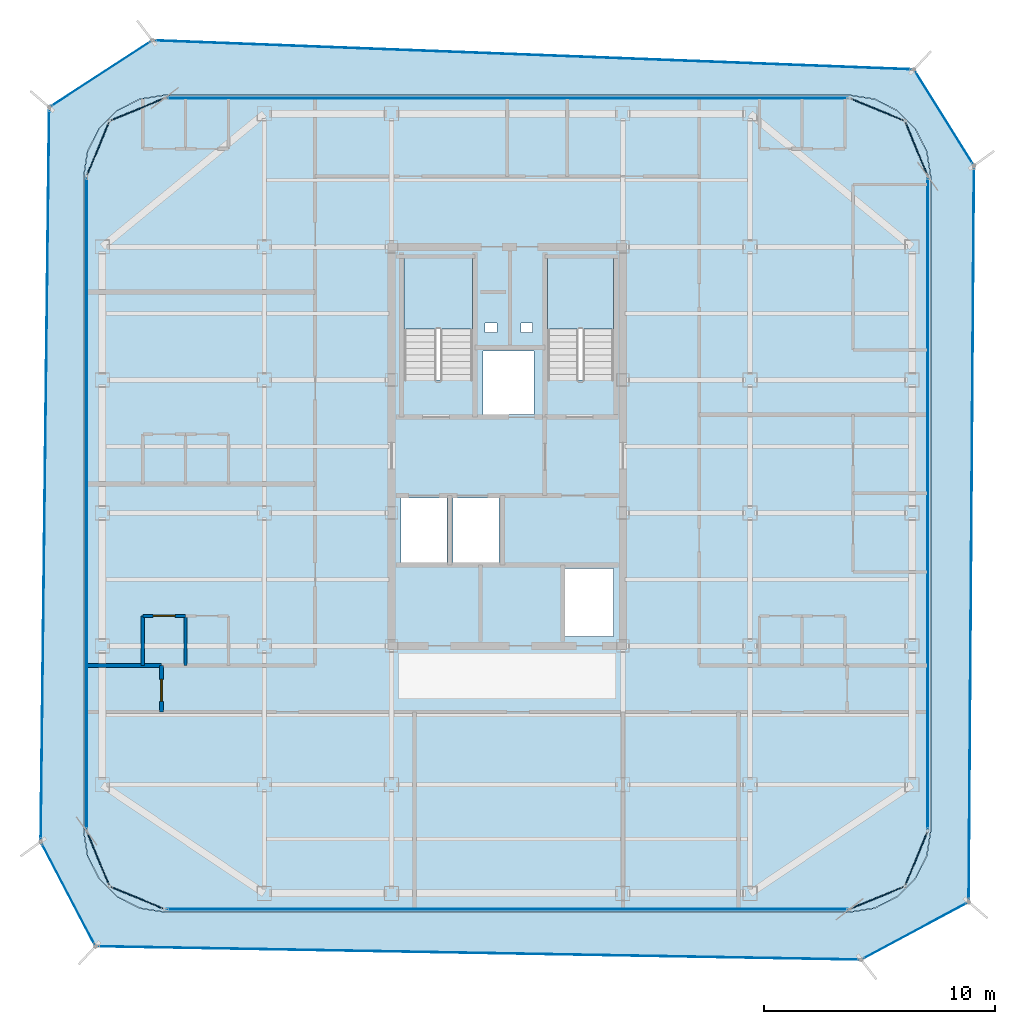
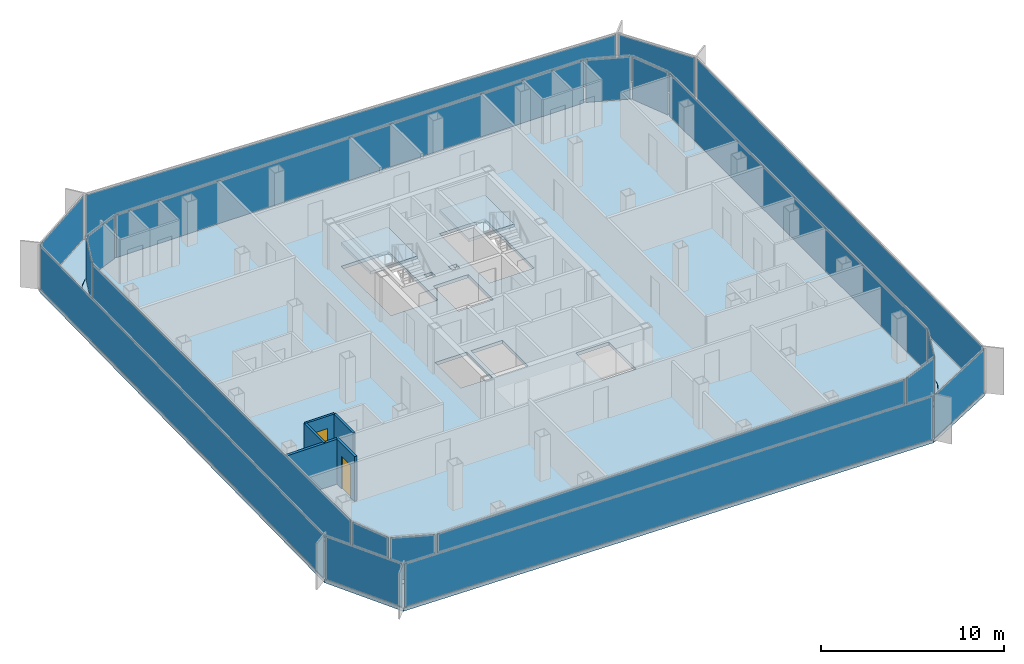
# One storey, part 9 of 15: 20 plates, 5 walls, 4 slabs, 2 doors, 2 openings, 22 elements without a shape of their own.
"""IFC4 building model written with IfcOpenShell, lengths in metres."""

from ifc_helpers import new_model, si_unit, direction, frame, frame_2d, origin, origin_2d, place, context, subcontext, project, spatial, polyline, rectangle, outline, extrude, source, transform, mapped, material, layer, layer_set, type_object, element, fill, aggregate, save


model = new_model("IFC4")

# Units and contexts
model_context = context("Model", 3, precision=1e-05, world=origin(), true_north=direction((0.0, 1.0)))
body_context = subcontext(model_context, "Body", "Model", "MODEL_VIEW")
ifc_project = project(units=[si_unit("LENGTHUNIT", "METRE"), si_unit("AREAUNIT", "SQUARE_METRE"), si_unit("VOLUMEUNIT", "CUBIC_METRE"), si_unit("PLANEANGLEUNIT", "RADIAN"), si_unit("MASSUNIT", "GRAM", prefix="KILO")], contexts=[model_context])

# Site, building, storey
site_placement = place(None, origin())
site = spatial("IfcSite", under=ifc_project, at=site_placement, CompositionType="ELEMENT")
building_placement = place(site_placement, origin())
building = spatial("IfcBuilding", under=site, at=building_placement, Name="Kolveth Station Tower", CompositionType="ELEMENT")
storey_placement = place(building_placement, frame((0.0, 0.0, 229.699951171875)))
storey = spatial("IfcBuildingStorey", under=building, at=storey_placement, Name="L65", CompositionType="ELEMENT", Elevation=229.699951171875)

# Slab
ifc_material_1 = material(Name="Concrete C40/50", Category="concrete")
ifc_layer_1 = layer(ifc_material_1, 0.219970703125)
ifc_layer_set_1 = layer_set([ifc_layer_1], Name="Concrete C40/50")
slab_type_1 = type_object("IfcSlabType", Name="Slab_SF-220", PredefinedType="FLOOR", material=ifc_layer_set_1)
slab_1_placement = place(storey_placement, frame((0.0, 0.0, -0.219970703125)))
element("IfcSlab", 1, at=slab_1_placement, inside=storey, type_object=slab_type_1, Name="L65 Tower Structural Floor Slab", PredefinedType="FLOOR", context=body_context, shape_type="SweptSolid", body=[
    extrude(outline(polyline([(38.300048828125, 0.0), (39.381591796875, 0.17138671875), (40.357177734375, 0.66845703125), (41.131591796875, 1.44287109375), (41.628662109375, 2.41845703125), (41.800048828125, 3.5), (41.800048828125, 31.800048828125), (41.628662109375, 32.881591796875), (41.131591796875, 33.857177734375), (40.357177734375, 34.631591796875), (39.381591796875, 35.128662109375), (38.300048828125, 35.300048828125), (8.699951171875, 35.300048828125), (7.618408203125, 35.128662109375), (6.642822265625, 34.631591796875), (5.868408203125, 33.857177734375), (5.371337890625, 32.881591796875), (5.199951171875, 31.800048828125), (5.199951171875, 3.5), (5.371337890625, 2.41845703125), (5.868408203125, 1.44287109375), (6.642822265625, 0.66845703125), (7.618408203125, 0.17138671875), (8.699951171875, 0.0), (38.300048828125, 0.0)]), holes=[polyline([(19.0400390625, 22.985107421875), (22.0, 22.985107421875), (22.0, 28.39990234375), (19.0400390625, 28.39990234375), (19.0400390625, 22.985107421875)]), polyline([(25.239990234375, 22.985107421875), (28.10009765625, 22.985107421875), (28.10009765625, 28.39990234375), (25.239990234375, 28.39990234375), (25.239990234375, 22.985107421875)]), polyline([(18.89990234375, 15.10009765625), (20.89990234375, 15.10009765625), (20.89990234375, 17.89990234375), (18.89990234375, 17.89990234375), (18.89990234375, 15.10009765625)]), polyline([(21.14990234375, 15.10009765625), (23.14990234375, 15.10009765625), (23.14990234375, 17.89990234375), (21.14990234375, 17.89990234375), (21.14990234375, 15.10009765625)]), polyline([(22.449951171875, 21.5), (24.64990234375, 21.5), (24.64990234375, 24.25), (22.449951171875, 24.25), (22.449951171875, 21.5)]), polyline([(26.0, 11.89990234375), (28.10009765625, 11.89990234375), (28.10009765625, 14.85009765625), (26.0, 14.85009765625), (26.0, 11.89990234375)]), polyline([(22.550048828125, 25.050048828125), (23.050048828125, 25.050048828125), (23.050048828125, 25.449951171875), (22.550048828125, 25.449951171875), (22.550048828125, 25.050048828125)]), polyline([(24.10009765625, 25.050048828125), (24.60009765625, 25.050048828125), (24.60009765625, 25.449951171875), (24.10009765625, 25.449951171875), (24.10009765625, 25.050048828125)])]), origin(), (0.0, 0.0, 1.0), 0.219970703125),
])

# Stair, slab
stair_type_1 = type_object("IfcStairType", Name="Stair_ST2", PredefinedType="HALF_TURN_STAIR", material=ifc_material_1)
stair_1_placement = place(storey_placement, origin())
stair_1 = element("IfcStair", 2, at=stair_1_placement, inside=storey, type_object=stair_type_1, Name="L65 Tower Exit Stair ST2", PredefinedType="HALF_TURN_STAIR")
ifc_layer_2 = layer(ifc_material_1, 0.18994140625)
ifc_layer_set_2 = layer_set([ifc_layer_2], Name="Concrete C40/50")
slab_type_2 = type_object("IfcSlabType", Name="Slab_SL-190", PredefinedType="LANDING", material=ifc_layer_set_2)
slab_2_placement = place(storey_placement, frame((0.0, 0.0, 1.400146484375)))
slab_2 = element("IfcSlab", 3, at=slab_2_placement, type_object=slab_type_2, Name="ST2 landing 1", PredefinedType="LANDING", context=body_context, shape_type="SweptSolid", body=[
    extrude(outline(polyline([(28.10009765625, 25.18994140625), (28.10009765625, 28.39990234375), (25.239990234375, 28.39990234375), (25.239990234375, 25.18994140625), (28.10009765625, 25.18994140625)])), origin(), (0.0, 0.0, 1.0), 0.199951171875),
])
aggregate(stair_1, [slab_2])

stair_type_2 = type_object("IfcStairType", Name="Stair_ST1", PredefinedType="HALF_TURN_STAIR", material=ifc_material_1)
stair_2_placement = place(storey_placement, origin())
stair_2 = element("IfcStair", 4, at=stair_2_placement, inside=storey, type_object=stair_type_2, Name="L65 Tower Exit Stair ST1", PredefinedType="HALF_TURN_STAIR")
ifc_layer_3 = layer(ifc_material_1, 0.205078125)
ifc_layer_set_3 = layer_set([ifc_layer_3], Name="Concrete C40/50")
slab_type_3 = type_object("IfcSlabType", Name="Slab_SL-205", PredefinedType="LANDING", material=ifc_layer_set_3)
slab_3_placement = place(storey_placement, frame((0.0, 0.0, 1.400146484375)))
slab_3 = element("IfcSlab", 5, at=slab_3_placement, type_object=slab_type_3, Name="ST1 landing 1", PredefinedType="LANDING", context=body_context, shape_type="SweptSolid", body=[
    extrude(outline(polyline([(22.0, 25.18994140625), (22.0, 28.39990234375), (19.0400390625, 28.39990234375), (19.0400390625, 25.18994140625), (22.0, 25.18994140625)])), origin(), (0.0, 0.0, 1.0), 0.199951171875),
])
aggregate(stair_2, [slab_3])

# Slab
ifc_layer_4 = layer(ifc_material_1, 0.2099609375)
ifc_layer_set_4 = layer_set([ifc_layer_4], Name="Concrete C40/50")
slab_type_4 = type_object("IfcSlabType", Name="Slab_ST-210", PredefinedType="FLOOR", material=ifc_layer_set_4)
slab_4_placement = place(storey_placement, frame((0.0, 0.0, -0.2099609375)))
element("IfcSlab", 6, at=slab_4_placement, inside=storey, type_object=slab_type_4, Name="L65 Double-Skin Cavity Structural Ledger Ring", PredefinedType="FLOOR", context=body_context, shape_type="SweptSolid", body=[
    extrude(outline(polyline([(5.70556640625, -1.485595703125), (3.33837890625, 3.038818359375), (3.70556640625, 34.781494140625), (8.16064453125, 37.67431640625), (41.08349609375, 36.41650390625), (43.679931640625, 32.263427734375), (43.451171875, 0.4287109375), (38.80078125, -2.064453125), (5.70556640625, -1.485595703125)]), holes=[polyline([(38.30224609375, -0.014892578125), (39.3837890625, 0.156494140625), (39.388427734375, 0.157958984375), (40.364013671875, 0.655029296875), (40.367919921875, 0.65771484375), (41.14208984375, 1.43212890625), (41.14501953125, 1.43603515625), (41.64208984375, 2.41162109375), (41.6435546875, 2.416015625), (41.814697265625, 3.497802734375), (41.81494140625, 3.5), (41.81494140625, 31.800048828125), (41.814697265625, 31.80224609375), (41.6435546875, 32.8837890625), (41.64208984375, 32.888427734375), (41.14501953125, 33.864013671875), (41.14208984375, 33.867919921875), (40.367919921875, 34.64208984375), (40.364013671875, 34.64501953125), (39.388427734375, 35.14208984375), (39.3837890625, 35.1435546875), (38.30224609375, 35.314697265625), (38.300048828125, 35.31494140625), (8.699951171875, 35.31494140625), (8.69775390625, 35.314697265625), (7.6162109375, 35.1435546875), (7.611572265625, 35.14208984375), (6.635986328125, 34.64501953125), (6.632080078125, 34.64208984375), (5.85791015625, 33.867919921875), (5.85498046875, 33.864013671875), (5.35791015625, 32.888427734375), (5.3564453125, 32.8837890625), (5.185302734375, 31.80224609375), (5.18505859375, 31.800048828125), (5.18505859375, 3.5), (5.185302734375, 3.497802734375), (5.3564453125, 2.416015625), (5.35791015625, 2.41162109375), (5.85498046875, 1.43603515625), (5.85791015625, 1.43212890625), (6.632080078125, 0.65771484375), (6.635986328125, 0.655029296875), (7.611572265625, 0.157958984375), (7.6162109375, 0.156494140625), (8.69775390625, -0.014892578125), (8.699951171875, -0.014892578125), (38.300048828125, -0.014892578125), (38.30224609375, -0.014892578125)])]), origin(), (0.0, 0.0, 1.0), 0.2099609375),
])

# Curtain wall, plate
ifc_material_2 = material(Name="Aluminium 6063-T6 and triple low-E dark glass", Category="aluminium")
ifc_layer_5 = layer(ifc_material_2, 0.199951171875)
ifc_layer_set_5 = layer_set([ifc_layer_5], Name="Aluminium 6063-T6 and triple low-E dark glass")
curtain_wall_type_1 = type_object("IfcCurtainWallType", Name="CurtainWall_CW-Z3", PredefinedType="NOTDEFINED", material=ifc_layer_set_5)
curtain_wall_1_placement = place(storey_placement, origin())
curtain_wall_1 = element("IfcCurtainWall", 7, at=curtain_wall_1_placement, inside=storey, type_object=curtain_wall_type_1, Name="L65 Inner Thermal Curtain Wall 1", PredefinedType="NOTDEFINED")
ifc_material_3 = material(Name="Architectural low-E dark glass", Category="glass")
ifc_layer_6 = layer(ifc_material_3, 0.0419921875)
ifc_layer_set_6 = layer_set([ifc_layer_6], Name="Architectural low-E dark glass")
plate_type_1 = type_object("IfcPlateType", Name="Panel_GL3", PredefinedType="CURTAIN_PANEL", material=ifc_layer_set_6)
shared_shape_1 = source(origin(), body_context, "Body", "SweptSolid", [
    extrude(rectangle(XDim=2.430908203125, YDim=0.0419921875, at=origin_2d()), origin(), (0.0, 0.0, 1.0), 2.823974609375),
])
plate_1_placement = place(storey_placement, frame((39.4951171875, 0.614990234375, 0.078125), z_axis=(0.0, 0.0, 1.0), x_axis=(0.923875488975, 0.382693194181, 0.0)))
plate_1 = element("IfcPlate", 8, at=plate_1_placement, type_object=plate_type_1, Name="CW-Z3 panel 1.1", PredefinedType="CURTAIN_PANEL", context=body_context, shape_type="MappedRepresentation", body=[
    mapped(shared_shape_1, transform((0.0, 0.0, 0.0), x_axis=(1.0, 0.0, 0.0), y_axis=(0.0, 1.0, 0.0), z_axis=(0.0, 0.0, 1.0), scale=1.0)),
])
aggregate(curtain_wall_1, [plate_1])

curtain_wall_2_placement = place(storey_placement, origin())
curtain_wall_2 = element("IfcCurtainWall", 9, at=curtain_wall_2_placement, inside=storey, type_object=curtain_wall_type_1, Name="L65 Inner Thermal Curtain Wall 2", PredefinedType="NOTDEFINED")
plate_2_placement = place(storey_placement, frame((41.18505859375, 2.304931640625, 0.078125), z_axis=(0.0, 0.0, 1.0), x_axis=(0.382693194181, 0.923875488975, 0.0)))
plate_2 = element("IfcPlate", 10, at=plate_2_placement, type_object=plate_type_1, Name="CW-Z3 panel 1.1", PredefinedType="CURTAIN_PANEL", context=body_context, shape_type="MappedRepresentation", body=[
    mapped(shared_shape_1, transform((0.0, 0.0, 0.0), x_axis=(1.0, 0.0, 0.0), y_axis=(0.0, 1.0, 0.0), z_axis=(0.0, 0.0, 1.0), scale=1.0)),
])
aggregate(curtain_wall_2, [plate_2])

curtain_wall_3_placement = place(storey_placement, origin())
curtain_wall_3 = element("IfcCurtainWall", 11, at=curtain_wall_3_placement, inside=storey, type_object=curtain_wall_type_1, Name="L65 Inner Thermal Curtain Wall 4", PredefinedType="NOTDEFINED")
plate_3_placement = place(storey_placement, frame((41.18505859375, 32.9951171875, 0.078125), z_axis=(0.0, 0.0, 1.0), x_axis=(-0.382693194181, 0.923875488975, 0.0)))
plate_3 = element("IfcPlate", 12, at=plate_3_placement, type_object=plate_type_1, Name="CW-Z3 panel 1.1", PredefinedType="CURTAIN_PANEL", context=body_context, shape_type="MappedRepresentation", body=[
    mapped(shared_shape_1, transform((0.0, 0.0, 0.0), x_axis=(1.0, 0.0, 0.0), y_axis=(0.0, 1.0, 0.0), z_axis=(0.0, 0.0, 1.0), scale=1.0)),
])
aggregate(curtain_wall_3, [plate_3])

curtain_wall_4_placement = place(storey_placement, origin())
curtain_wall_4 = element("IfcCurtainWall", 13, at=curtain_wall_4_placement, inside=storey, type_object=curtain_wall_type_1, Name="L65 Inner Thermal Curtain Wall 5", PredefinedType="NOTDEFINED")
plate_4_placement = place(storey_placement, frame((39.4951171875, 34.68505859375, 0.078125), z_axis=(0.0, 0.0, 1.0), x_axis=(-0.923875488975, 0.382693194181, 0.0)))
plate_4 = element("IfcPlate", 14, at=plate_4_placement, type_object=plate_type_1, Name="CW-Z3 panel 1.1", PredefinedType="CURTAIN_PANEL", context=body_context, shape_type="MappedRepresentation", body=[
    mapped(shared_shape_1, transform((0.0, 0.0, 0.0), x_axis=(1.0, 0.0, 0.0), y_axis=(0.0, 1.0, 0.0), z_axis=(0.0, 0.0, 1.0), scale=1.0)),
])
aggregate(curtain_wall_4, [plate_4])

curtain_wall_5_placement = place(storey_placement, origin())
curtain_wall_5 = element("IfcCurtainWall", 15, at=curtain_wall_5_placement, inside=storey, type_object=curtain_wall_type_1, Name="L65 Inner Thermal Curtain Wall 7", PredefinedType="NOTDEFINED")
plate_5_placement = place(storey_placement, frame((7.5048828125, 34.68505859375, 0.078125), z_axis=(0.0, 0.0, 1.0), x_axis=(-0.923875488975, -0.382693194181, 0.0)))
plate_5 = element("IfcPlate", 16, at=plate_5_placement, type_object=plate_type_1, Name="CW-Z3 panel 1.1", PredefinedType="CURTAIN_PANEL", context=body_context, shape_type="MappedRepresentation", body=[
    mapped(shared_shape_1, transform((0.0, 0.0, 0.0), x_axis=(1.0, 0.0, 0.0), y_axis=(0.0, 1.0, 0.0), z_axis=(0.0, 0.0, 1.0), scale=1.0)),
])
aggregate(curtain_wall_5, [plate_5])

curtain_wall_6_placement = place(storey_placement, origin())
curtain_wall_6 = element("IfcCurtainWall", 17, at=curtain_wall_6_placement, inside=storey, type_object=curtain_wall_type_1, Name="L65 Inner Thermal Curtain Wall 8", PredefinedType="NOTDEFINED")
plate_6_placement = place(storey_placement, frame((5.81494140625, 32.9951171875, 0.078125), z_axis=(0.0, 0.0, 1.0), x_axis=(-0.382693194181, -0.923875488975, 0.0)))
plate_6 = element("IfcPlate", 18, at=plate_6_placement, type_object=plate_type_1, Name="CW-Z3 panel 1.1", PredefinedType="CURTAIN_PANEL", context=body_context, shape_type="MappedRepresentation", body=[
    mapped(shared_shape_1, transform((0.0, 0.0, 0.0), x_axis=(1.0, 0.0, 0.0), y_axis=(0.0, 1.0, 0.0), z_axis=(0.0, 0.0, 1.0), scale=1.0)),
])
aggregate(curtain_wall_6, [plate_6])

curtain_wall_7_placement = place(storey_placement, origin())
curtain_wall_7 = element("IfcCurtainWall", 19, at=curtain_wall_7_placement, inside=storey, type_object=curtain_wall_type_1, Name="L65 Inner Thermal Curtain Wall 10", PredefinedType="NOTDEFINED")
plate_7_placement = place(storey_placement, frame((5.81494140625, 2.304931640625, 0.078125), z_axis=(0.0, 0.0, 1.0), x_axis=(0.382693194181, -0.923875488975, 0.0)))
plate_7 = element("IfcPlate", 20, at=plate_7_placement, type_object=plate_type_1, Name="CW-Z3 panel 1.1", PredefinedType="CURTAIN_PANEL", context=body_context, shape_type="MappedRepresentation", body=[
    mapped(shared_shape_1, transform((0.0, 0.0, 0.0), x_axis=(1.0, 0.0, 0.0), y_axis=(0.0, 1.0, 0.0), z_axis=(0.0, 0.0, 1.0), scale=1.0)),
])
aggregate(curtain_wall_7, [plate_7])

curtain_wall_8_placement = place(storey_placement, origin())
curtain_wall_8 = element("IfcCurtainWall", 21, at=curtain_wall_8_placement, inside=storey, type_object=curtain_wall_type_1, Name="L65 Inner Thermal Curtain Wall 11", PredefinedType="NOTDEFINED")
plate_8_placement = place(storey_placement, frame((7.5048828125, 0.614990234375, 0.078125), z_axis=(0.0, 0.0, 1.0), x_axis=(0.923875488975, -0.382693194181, 0.0)))
plate_8 = element("IfcPlate", 22, at=plate_8_placement, type_object=plate_type_1, Name="CW-Z3 panel 1.1", PredefinedType="CURTAIN_PANEL", context=body_context, shape_type="MappedRepresentation", body=[
    mapped(shared_shape_1, transform((0.0, 0.0, 0.0), x_axis=(1.0, 0.0, 0.0), y_axis=(0.0, 1.0, 0.0), z_axis=(0.0, 0.0, 1.0), scale=1.0)),
])
aggregate(curtain_wall_8, [plate_8])

curtain_wall_9_placement = place(storey_placement, origin())
curtain_wall_9 = element("IfcCurtainWall", 23, at=curtain_wall_9_placement, inside=storey, type_object=curtain_wall_type_1, Name="L65 Inner Thermal Curtain Wall 3", PredefinedType="NOTDEFINED")
shared_shape_2 = source(origin(), body_context, "Body", "SweptSolid", [
    extrude(rectangle(XDim=28.14404296875, YDim=0.0419921875, at=origin_2d()), origin(), (0.0, 0.0, 1.0), 2.823974609375),
])
plate_9_placement = place(storey_placement, frame((41.679931640625, 17.64990234375, 0.078125), z_axis=(0.0, 0.0, 1.0), x_axis=(0.0, 1.0, 0.0)))
plate_9 = element("IfcPlate", 24, at=plate_9_placement, type_object=plate_type_1, Name="CW-Z3 panel 1.1", PredefinedType="CURTAIN_PANEL", context=body_context, shape_type="MappedRepresentation", body=[
    mapped(shared_shape_2, transform((0.0, 0.0, 0.0), x_axis=(1.0, 0.0, 0.0), y_axis=(0.0, 1.0, 0.0), z_axis=(0.0, 0.0, 1.0), scale=1.0)),
])
aggregate(curtain_wall_9, [plate_9])

curtain_wall_10_placement = place(storey_placement, origin())
curtain_wall_10 = element("IfcCurtainWall", 25, at=curtain_wall_10_placement, inside=storey, type_object=curtain_wall_type_1, Name="L65 Inner Thermal Curtain Wall 9", PredefinedType="NOTDEFINED")
plate_10_placement = place(storey_placement, frame((5.320068359375, 17.64990234375, 0.078125), z_axis=(0.0, 0.0, 1.0), x_axis=(0.0, -1.0, 0.0)))
plate_10 = element("IfcPlate", 26, at=plate_10_placement, type_object=plate_type_1, Name="CW-Z3 panel 1.1", PredefinedType="CURTAIN_PANEL", context=body_context, shape_type="MappedRepresentation", body=[
    mapped(shared_shape_2, transform((0.0, 0.0, 0.0), x_axis=(1.0, 0.0, 0.0), y_axis=(0.0, 1.0, 0.0), z_axis=(0.0, 0.0, 1.0), scale=1.0)),
])
aggregate(curtain_wall_10, [plate_10])

curtain_wall_11_placement = place(storey_placement, origin())
curtain_wall_11 = element("IfcCurtainWall", 27, at=curtain_wall_11_placement, inside=storey, type_object=curtain_wall_type_1, Name="L65 Inner Thermal Curtain Wall 6", PredefinedType="NOTDEFINED")
shared_shape_3 = source(origin(), body_context, "Body", "SweptSolid", [
    extrude(rectangle(XDim=29.444091796875, YDim=0.0419921875, at=origin_2d()), origin(), (0.0, 0.0, 1.0), 2.823974609375),
])
plate_11_placement = place(storey_placement, frame((23.5, 35.179931640625, 0.078125), z_axis=(0.0, 0.0, 1.0), x_axis=(-1.0, 0.0, 0.0)))
plate_11 = element("IfcPlate", 28, at=plate_11_placement, type_object=plate_type_1, Name="CW-Z3 panel 1.1", PredefinedType="CURTAIN_PANEL", context=body_context, shape_type="MappedRepresentation", body=[
    mapped(shared_shape_3, transform((0.0, 0.0, 0.0), x_axis=(1.0, 0.0, 0.0), y_axis=(0.0, 1.0, 0.0), z_axis=(0.0, 0.0, 1.0), scale=1.0)),
])
aggregate(curtain_wall_11, [plate_11])

curtain_wall_12_placement = place(storey_placement, origin())
curtain_wall_12 = element("IfcCurtainWall", 29, at=curtain_wall_12_placement, inside=storey, type_object=curtain_wall_type_1, Name="L65 Inner Thermal Curtain Wall 12", PredefinedType="NOTDEFINED")
plate_12_placement = place(storey_placement, frame((23.5, 0.1201171875, 0.078125), z_axis=(0.0, 0.0, 1.0), x_axis=(1.0, 0.0, 0.0)))
plate_12 = element("IfcPlate", 30, at=plate_12_placement, type_object=plate_type_1, Name="CW-Z3 panel 1.1", PredefinedType="CURTAIN_PANEL", context=body_context, shape_type="MappedRepresentation", body=[
    mapped(shared_shape_3, transform((0.0, 0.0, 0.0), x_axis=(1.0, 0.0, 0.0), y_axis=(0.0, 1.0, 0.0), z_axis=(0.0, 0.0, 1.0), scale=1.0)),
])
aggregate(curtain_wall_12, [plate_12])

ifc_material_4 = material(Name="Black anodized aluminium 6063-T6 and dark solar glass", Category="aluminium")
ifc_layer_7 = layer(ifc_material_4, 0.159912109375)
ifc_layer_set_7 = layer_set([ifc_layer_7], Name="Black anodized aluminium 6063-T6 and dark solar glass")
curtain_wall_type_2 = type_object("IfcCurtainWallType", Name="OUTER SKIN CW-OS", PredefinedType="NOTDEFINED", material=ifc_layer_set_7)
curtain_wall_13_placement = place(storey_placement, origin())
curtain_wall_13 = element("IfcCurtainWall", 31, at=curtain_wall_13_placement, inside=storey, type_object=curtain_wall_type_2, Name="L65 Outer Ventilated Skin Curtain Wall 1", PredefinedType="NOTDEFINED")
ifc_layer_8 = layer(ifc_material_3, 0.028076171875)
ifc_layer_set_8 = layer_set([ifc_layer_8], Name="Architectural low-E dark glass")
plate_type_2 = type_object("IfcPlateType", Name="Panel_GL-OS", PredefinedType="CURTAIN_PANEL", material=ifc_layer_set_8)
shared_shape_4 = source(origin(), body_context, "Body", "SweptSolid", [
    extrude(rectangle(XDim=5.1103515625, YDim=0.028076171875, at=origin_2d()), origin(), (0.0, 0.0, 1.0), 2.843994140625),
])
plate_13_placement = place(storey_placement, frame((41.1259765625, -0.81787109375, 0.0732421875), z_axis=(0.0, 0.0, 1.0), x_axis=(0.881336234682, 0.472489620455, 0.0)))
plate_13 = element("IfcPlate", 32, at=plate_13_placement, type_object=plate_type_2, Name="CW-OS panel 1.1", PredefinedType="CURTAIN_PANEL", context=body_context, shape_type="MappedRepresentation", body=[
    mapped(shared_shape_4, transform((0.0, 0.0, 0.0), x_axis=(1.0, 0.0, 0.0), y_axis=(0.0, 1.0, 0.0), z_axis=(0.0, 0.0, 1.0), scale=1.0)),
])
aggregate(curtain_wall_13, [plate_13])

curtain_wall_14_placement = place(storey_placement, origin())
curtain_wall_14 = element("IfcCurtainWall", 33, at=curtain_wall_14_placement, inside=storey, type_object=curtain_wall_type_2, Name="L65 Outer Ventilated Skin Curtain Wall 2", PredefinedType="NOTDEFINED")
shared_shape_5 = source(origin(), body_context, "Body", "SweptSolid", [
    extrude(rectangle(XDim=31.669677734375, YDim=0.028076171875, at=origin_2d()), origin(), (0.0, 0.0, 1.0), 2.843994140625),
])
plate_14_placement = place(storey_placement, frame((43.5654296875, 16.345947265625, 0.0732421875), z_axis=(0.0, 0.0, 1.0), x_axis=(0.007186917807, 0.999974173773, 0.0)))
plate_14 = element("IfcPlate", 34, at=plate_14_placement, type_object=plate_type_2, Name="CW-OS panel 1.1", PredefinedType="CURTAIN_PANEL", context=body_context, shape_type="MappedRepresentation", body=[
    mapped(shared_shape_5, transform((0.0, 0.0, 0.0), x_axis=(1.0, 0.0, 0.0), y_axis=(0.0, 1.0, 0.0), z_axis=(0.0, 0.0, 1.0), scale=1.0)),
])
aggregate(curtain_wall_14, [plate_14])

curtain_wall_15_placement = place(storey_placement, origin())
curtain_wall_15 = element("IfcCurtainWall", 35, at=curtain_wall_15_placement, inside=storey, type_object=curtain_wall_type_2, Name="L65 Outer Ventilated Skin Curtain Wall 3", PredefinedType="NOTDEFINED")
shared_shape_6 = source(origin(), body_context, "Body", "SweptSolid", [
    extrude(rectangle(XDim=4.73193359375, YDim=0.028076171875, at=origin_2d()), origin(), (0.0, 0.0, 1.0), 2.843994140625),
])
plate_15_placement = place(storey_placement, frame((42.381591796875, 34.33984375, 0.0732421875), z_axis=(0.0, 0.0, 1.0), x_axis=(-0.53011822303, 0.847923740446, 0.0)))
plate_15 = element("IfcPlate", 36, at=plate_15_placement, type_object=plate_type_2, Name="CW-OS panel 1.1", PredefinedType="CURTAIN_PANEL", context=body_context, shape_type="MappedRepresentation", body=[
    mapped(shared_shape_6, transform((0.0, 0.0, 0.0), x_axis=(1.0, 0.0, 0.0), y_axis=(0.0, 1.0, 0.0), z_axis=(0.0, 0.0, 1.0), scale=1.0)),
])
aggregate(curtain_wall_15, [plate_15])

curtain_wall_16_placement = place(storey_placement, origin())
curtain_wall_16 = element("IfcCurtainWall", 37, at=curtain_wall_16_placement, inside=storey, type_object=curtain_wall_type_2, Name="L65 Outer Ventilated Skin Curtain Wall 4", PredefinedType="NOTDEFINED")
shared_shape_7 = source(origin(), body_context, "Body", "SweptSolid", [
    extrude(rectangle(XDim=32.78076171875, YDim=0.028076171875, at=origin_2d()), origin(), (0.0, 0.0, 1.0), 2.843994140625),
])
plate_16_placement = place(storey_placement, frame((24.6220703125, 37.04541015625, 0.0732421875), z_axis=(0.0, 0.0, 1.0), x_axis=(-0.999271000562, 0.038176791838, 0.0)))
plate_16 = element("IfcPlate", 38, at=plate_16_placement, type_object=plate_type_2, Name="CW-OS panel 1.1", PredefinedType="CURTAIN_PANEL", context=body_context, shape_type="MappedRepresentation", body=[
    mapped(shared_shape_7, transform((0.0, 0.0, 0.0), x_axis=(1.0, 0.0, 0.0), y_axis=(0.0, 1.0, 0.0), z_axis=(0.0, 0.0, 1.0), scale=1.0)),
])
aggregate(curtain_wall_16, [plate_16])

curtain_wall_17_placement = place(storey_placement, origin())
curtain_wall_17 = element("IfcCurtainWall", 39, at=curtain_wall_17_placement, inside=storey, type_object=curtain_wall_type_2, Name="L65 Outer Ventilated Skin Curtain Wall 5", PredefinedType="NOTDEFINED")
shared_shape_8 = source(origin(), body_context, "Body", "SweptSolid", [
    extrude(rectangle(XDim=5.14599609375, YDim=0.028076171875, at=origin_2d()), origin(), (0.0, 0.0, 1.0), 2.843994140625),
])
plate_17_placement = place(storey_placement, frame((5.93310546875, 36.22802734375, 0.0732421875), z_axis=(0.0, 0.0, 1.0), x_axis=(-0.838717060527, -0.544567436027, 0.0)))
plate_17 = element("IfcPlate", 40, at=plate_17_placement, type_object=plate_type_2, Name="CW-OS panel 1.1", PredefinedType="CURTAIN_PANEL", context=body_context, shape_type="MappedRepresentation", body=[
    mapped(shared_shape_8, transform((0.0, 0.0, 0.0), x_axis=(1.0, 0.0, 0.0), y_axis=(0.0, 1.0, 0.0), z_axis=(0.0, 0.0, 1.0), scale=1.0)),
])
aggregate(curtain_wall_17, [plate_17])

curtain_wall_18_placement = place(storey_placement, origin())
curtain_wall_18 = element("IfcCurtainWall", 41, at=curtain_wall_18_placement, inside=storey, type_object=curtain_wall_type_2, Name="L65 Outer Ventilated Skin Curtain Wall 6", PredefinedType="NOTDEFINED")
shared_shape_9 = source(origin(), body_context, "Body", "SweptSolid", [
    extrude(rectangle(XDim=31.578857421875, YDim=0.028076171875, at=origin_2d()), origin(), (0.0, 0.0, 1.0), 2.843994140625),
])
plate_18_placement = place(storey_placement, frame((3.52197265625, 18.91015625, 0.0732421875), z_axis=(0.0, 0.0, 1.0), x_axis=(-0.011560904319, -0.999933170513, 0.0)))
plate_18 = element("IfcPlate", 42, at=plate_18_placement, type_object=plate_type_2, Name="CW-OS panel 1.1", PredefinedType="CURTAIN_PANEL", context=body_context, shape_type="MappedRepresentation", body=[
    mapped(shared_shape_9, transform((0.0, 0.0, 0.0), x_axis=(1.0, 0.0, 0.0), y_axis=(0.0, 1.0, 0.0), z_axis=(0.0, 0.0, 1.0), scale=1.0)),
])
aggregate(curtain_wall_18, [plate_18])

curtain_wall_19_placement = place(storey_placement, origin())
curtain_wall_19 = element("IfcCurtainWall", 43, at=curtain_wall_19_placement, inside=storey, type_object=curtain_wall_type_2, Name="L65 Outer Ventilated Skin Curtain Wall 7", PredefinedType="NOTDEFINED")
shared_shape_10 = source(origin(), body_context, "Body", "SweptSolid", [
    extrude(rectangle(XDim=4.940185546875, YDim=0.028076171875, at=origin_2d()), origin(), (0.0, 0.0, 1.0), 2.843994140625),
])
plate_19_placement = place(storey_placement, frame((4.52197265625, 0.776611328125, 0.0732421875), z_axis=(0.0, 0.0, 1.0), x_axis=(0.463565658062, -0.886062571529, 0.0)))
plate_19 = element("IfcPlate", 44, at=plate_19_placement, type_object=plate_type_2, Name="CW-OS panel 1.1", PredefinedType="CURTAIN_PANEL", context=body_context, shape_type="MappedRepresentation", body=[
    mapped(shared_shape_10, transform((0.0, 0.0, 0.0), x_axis=(1.0, 0.0, 0.0), y_axis=(0.0, 1.0, 0.0), z_axis=(0.0, 0.0, 1.0), scale=1.0)),
])
aggregate(curtain_wall_19, [plate_19])

curtain_wall_20_placement = place(storey_placement, origin())
curtain_wall_20 = element("IfcCurtainWall", 45, at=curtain_wall_20_placement, inside=storey, type_object=curtain_wall_type_2, Name="L65 Outer Ventilated Skin Curtain Wall 8", PredefinedType="NOTDEFINED")
shared_shape_11 = source(origin(), body_context, "Body", "SweptSolid", [
    extrude(rectangle(XDim=32.9345703125, YDim=0.028076171875, at=origin_2d()), origin(), (0.0, 0.0, 1.0), 2.843994140625),
])
plate_20_placement = place(storey_placement, frame((22.253173828125, -1.77490234375, 0.0732421875), z_axis=(0.0, 0.0, 1.0), x_axis=(0.999847052568, -0.017489181543, 0.0)))
plate_20 = element("IfcPlate", 46, at=plate_20_placement, type_object=plate_type_2, Name="CW-OS panel 1.1", PredefinedType="CURTAIN_PANEL", context=body_context, shape_type="MappedRepresentation", body=[
    mapped(shared_shape_11, transform((0.0, 0.0, 0.0), x_axis=(1.0, 0.0, 0.0), y_axis=(0.0, 1.0, 0.0), z_axis=(0.0, 0.0, 1.0), scale=1.0)),
])
aggregate(curtain_wall_20, [plate_20])

# Wall, opening, door
ifc_material_5 = material(Name="Moisture-resistant gypsum partition")
ifc_layer_9 = layer(ifc_material_5, 0.135009765625)
ifc_layer_set_9 = layer_set([ifc_layer_9], Name="Moisture-resistant gypsum partition")
wall_type_1 = type_object("IfcWallType", Name="Wall_IW-135", PredefinedType="PARTITIONING", material=ifc_layer_set_9)
wall_1_placement = place(storey_placement, frame((7.75, 12.800048828125, 0.0), z_axis=(0.0, 0.0, 1.0), x_axis=(1.0, 0.0, 0.0)))
wall_1 = element("IfcWall", 47, at=wall_1_placement, inside=storey, type_object=wall_type_1, Name="L65 Partition Wall WL-L65-W1-IBHK", PredefinedType="PARTITIONING", context=body_context, shape_type="SweptSolid", body=[
    extrude(rectangle(XDim=1.85009765625, YDim=0.135009765625, at=frame_2d((0.925048828125, 0.0))), origin(), (0.0, 0.0, 1.0), 2.97998046875),
])
opening_1_placement = place(wall_1_placement, frame((0.445068359375, 0.0, 0.0)))
opening_1 = element("IfcOpeningElement", 48, at=opening_1_placement, cuts=wall_1, Name="Opening ID1", PredefinedType="OPENING", context=body_context, shape_type="SweptSolid", body=[
    extrude(rectangle(XDim=0.949951171875, YDim=2.14990234375, at=frame_2d((0.47509765625, 1.074951171875))), frame((0.0, 0.077392578125, 0.0), z_axis=(0.0, -1.0, 0.0), x_axis=(1.0, 0.0, 0.0)), (0.0, 0.0, 1.0), 0.155029296875),
])
ifc_material_6 = material(Name="Acoustic hardwood leaf and aluminium frame", Category="wood")
door_type = type_object("IfcDoorType", Name="Door_ID1", OperationType="NOTDEFINED", PredefinedType="DOOR", material=ifc_material_6)
door_1_placement = place(opening_1_placement, origin())
door_1 = element("IfcDoor", 49, at=door_1_placement, inside=storey, type_object=door_type, Name="Flat L65-W1 Kitchen Door", OperationType="SINGLE_SWING_LEFT", OverallHeight=2.14990234375, OverallWidth=0.949951171875, PredefinedType="DOOR", context=body_context, shape_type="SweptSolid", body=[
    extrude(rectangle(XDim=0.949951171875, YDim=2.14990234375, at=frame_2d((0.47509765625, 1.074951171875))), frame((0.0, 0.02490234375, 0.0), z_axis=(0.0, -1.0, 0.0), x_axis=(1.0, 0.0, 0.0)), (0.0, 0.0, 1.0), 0.050048828125),
])
fill(opening_1, door_1)

# Walls
for number, where, z_axis, x_axis, name in (
    (50, (7.75, 10.64990234375, 0.0), (0.0, 0.0, 1.0), (0.0, 1.0, 0.0), "L65 Partition Wall WL-L65-W1-IBV0"),
    (51, (9.60009765625, 10.64990234375, 0.0), (0.0, 0.0, 1.0), (0.0, 1.0, 0.0), "L65 Partition Wall WL-L65-W1-IBV1"),
):
    element("IfcWall", number, at=place(storey_placement, frame(where, z_axis=z_axis, x_axis=x_axis)), inside=storey, type_object=wall_type_1, Name=name, PredefinedType="PARTITIONING", context=body_context, shape_type="SweptSolid", body=[
        extrude(rectangle(XDim=2.150146484375, YDim=0.135009765625, at=frame_2d((1.0751953125, 0.0))), origin(), (0.0, 0.0, 1.0), 2.97998046875),
    ])

# Wall, opening, door
ifc_material_7 = material(Name="Acoustic double-stud gypsum partition")
ifc_layer_10 = layer(ifc_material_7, 0.1650390625)
ifc_layer_set_10 = layer_set([ifc_layer_10], Name="Acoustic double-stud gypsum partition")
wall_type_2 = type_object("IfcWallType", Name="Wall_IW-165", PredefinedType="PARTITIONING", material=ifc_layer_set_10)
wall_2_placement = place(storey_placement, frame((8.56005859375, 8.64990234375, 0.0), z_axis=(0.0, 0.0, 1.0), x_axis=(0.0, 1.0, 0.0)))
wall_2 = element("IfcWall", 52, at=wall_2_placement, inside=storey, type_object=wall_type_2, Name="L65 Partition Wall WL-L65-RSWE", PredefinedType="PARTITIONING", context=body_context, shape_type="SweptSolid", body=[
    extrude(rectangle(XDim=2.0, YDim=0.1650390625, at=frame_2d((1.0, 0.0))), origin(), (0.0, 0.0, 1.0), 2.97998046875),
])
opening_2_placement = place(wall_2_placement, frame((0.449951171875, 0.0, 0.0)))
opening_2 = element("IfcOpeningElement", 53, at=opening_2_placement, cuts=wall_2, Name="Opening ID1", PredefinedType="OPENING", context=body_context, shape_type="SweptSolid", body=[
    extrude(rectangle(XDim=0.949951171875, YDim=2.14990234375, at=frame_2d((0.47509765625, 1.074951171875))), frame((0.0, 0.092529296875, 0.0), z_axis=(0.0, -1.0, 0.0), x_axis=(1.0, 0.0, 0.0)), (0.0, 0.0, 1.0), 0.18505859375),
])
door_2_placement = place(opening_2_placement, frame((0.949951171875, 0.0, 0.0), z_axis=(0.0, 0.0, 1.0), x_axis=(-1.0, 0.0, 0.0)))
door_2 = element("IfcDoor", 54, at=door_2_placement, inside=storey, type_object=door_type, Name="L65 West Store Door", OperationType="SINGLE_SWING_LEFT", OverallHeight=2.14990234375, OverallWidth=0.949951171875, PredefinedType="DOOR", context=body_context, shape_type="SweptSolid", body=[
    extrude(rectangle(XDim=0.949951171875, YDim=2.14990234375, at=frame_2d((0.47509765625, 1.074951171875))), frame((0.0, 0.02490234375, 0.0), z_axis=(0.0, -1.0, 0.0), x_axis=(1.0, 0.0, 0.0)), (0.0, 0.0, 1.0), 0.050048828125),
])
fill(opening_2, door_2)

# Wall
wall_3_placement = place(storey_placement, frame((5.360107421875, 10.64990234375, 0.0), z_axis=(0.0, 0.0, 1.0), x_axis=(1.0, 0.0, 0.0)))
element("IfcWall", 55, at=wall_3_placement, inside=storey, type_object=wall_type_2, Name="L65 Partition Wall WL-L65-WSTN", PredefinedType="PARTITIONING", context=body_context, shape_type="SweptSolid", body=[
    extrude(rectangle(XDim=3.199951171875, YDim=0.1650390625, at=frame_2d((1.60009765625, 0.0))), origin(), (0.0, 0.0, 1.0), 2.97998046875),
])

save(model, "model.ifc")
